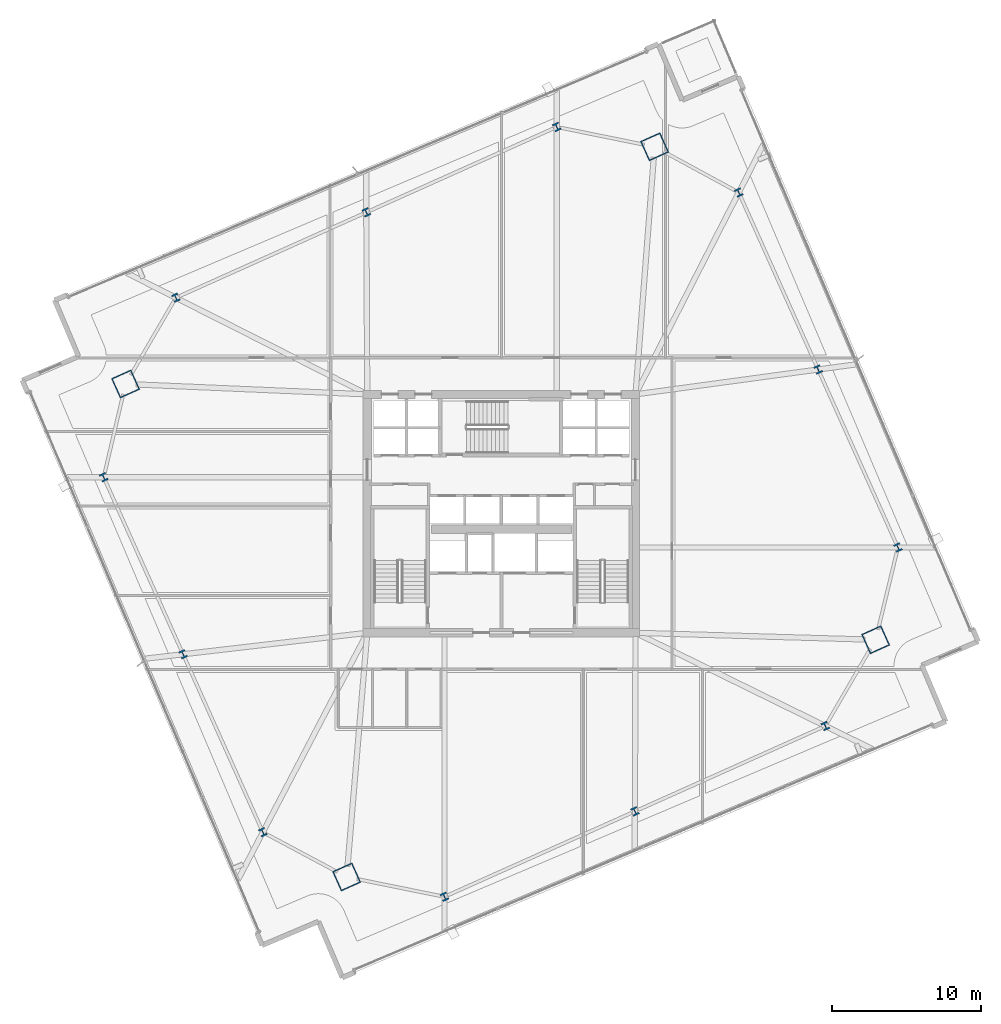
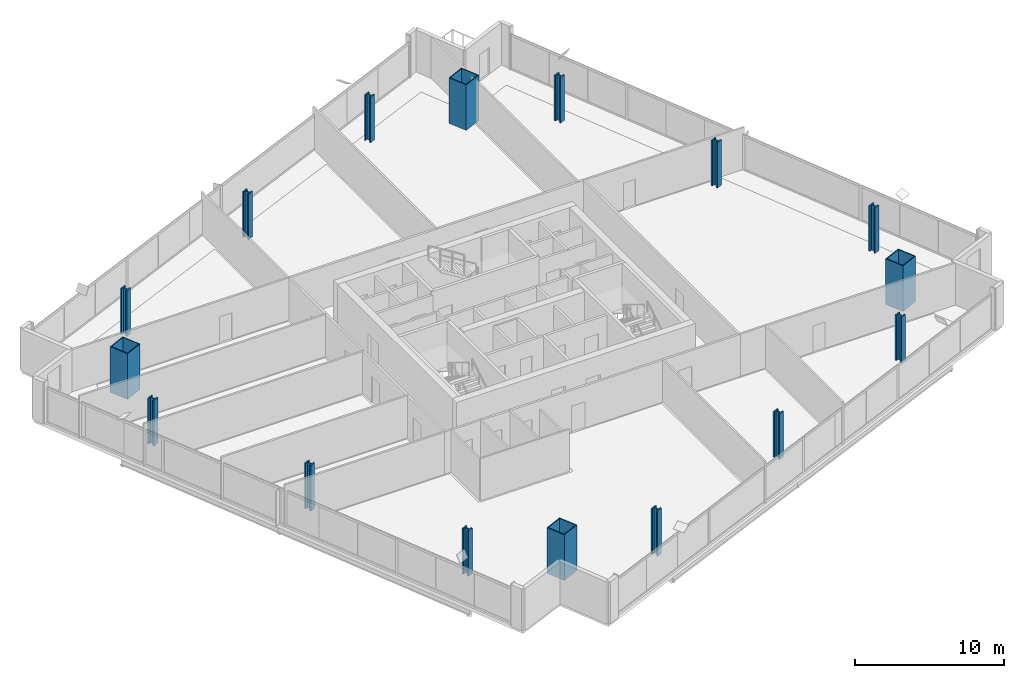
# One storey, part 1 of 34: 16 columns.
"""IFC4 building model written with IfcOpenShell, lengths in metres."""

from ifc_helpers import new_model, si_unit, direction, frame, origin, origin_2d, place, context, subcontext, project, spatial, hollow_rectangle, i_section, extrude, material, material_profile, profile_set, type_object, element, save


model = new_model("IFC4")

# Units and contexts
model_context = context("Model", 3, precision=1e-05, world=origin(), true_north=direction((0.0, 1.0)))
body_context = subcontext(model_context, "Body", "Model", "MODEL_VIEW")
ifc_project = project(units=[si_unit("LENGTHUNIT", "METRE"), si_unit("AREAUNIT", "SQUARE_METRE"), si_unit("VOLUMEUNIT", "CUBIC_METRE"), si_unit("PLANEANGLEUNIT", "RADIAN"), si_unit("MASSUNIT", "GRAM", prefix="KILO")], contexts=[model_context])

# Site, building, storey
site_placement = place(None, origin())
site = spatial("IfcSite", under=ifc_project, at=site_placement, CompositionType="ELEMENT")
building_placement = place(site_placement, origin())
building = spatial("IfcBuilding", under=site, at=building_placement, Name="Haldenkirk Collegiate Tower", CompositionType="ELEMENT")
storey_placement = place(building_placement, frame((0.0, 0.0, 105.449951171875)))
storey = spatial("IfcBuildingStorey", under=building, at=storey_placement, Name="L25", CompositionType="ELEMENT", Elevation=105.449951171875)

# Columns
ifc_material_1 = material(Name="Steel ASTM A913 Grade 65", Category="steel")
ifc_material_profile_1 = material_profile(ifc_material_1, i_section(OverallWidth=0.44189453125, OverallDepth=0.531005859375, WebThickness=0.06591796875, FlangeThickness=0.105712890625, at=origin_2d()), Name="W14X605")
ifc_profile_set_1 = profile_set([ifc_material_profile_1], Name="Steel ASTM A913 Grade 65")
column_type_1 = type_object("IfcColumnType", Name="COL-INT-W14X605", PredefinedType="COLUMN", material=ifc_profile_set_1)
for number, where, z_axis, x_axis, name in (
    (1, (32.181396484375, 0.287353515625, 0.0), (0.0, 0.0, 1.0), (0.912477494148, 0.409126902895, 0.0), "L25 perimeter gravity column PC-S1"),
    (2, (44.9599609375, 6.0166015625, 0.0), (0.0, 0.0, 1.0), (0.912477494148, 0.409126902895, 0.0), "L25 perimeter gravity column PC-S2"),
    (3, (57.73828125, 11.74609375, 0.0), (0.0, 0.0, 1.0), (0.912477494148, 0.409126902895, 0.0), "L25 perimeter gravity column PC-S3"),
    (4, (62.608642578125, 23.727294921875, 0.0), (0.0, 0.0, 1.0), (0.912477494148, 0.409126902895, 0.0), "L25 perimeter gravity column PC-E1"),
    (5, (57.255126953125, 35.667236328125, 0.0), (0.0, 0.0, 1.0), (0.912477494148, 0.409126902895, 0.0), "L25 perimeter gravity column PC-E2"),
    (6, (51.930419921875, 47.543212890625, 0.0), (0.0, 0.0, 1.0), (0.912477494148, 0.409126902895, 0.0), "L25 perimeter gravity column PC-E3"),
    (7, (39.71630859375, 51.94091796875, 0.0), (0.0, 0.0, 1.0), (0.912477494148, 0.409126902895, 0.0), "L25 perimeter gravity column PC-N1"),
    (8, (26.937744140625, 46.21142578125, 0.0), (0.0, 0.0, 1.0), (0.912477494148, 0.409126902895, 0.0), "L25 perimeter gravity column PC-N2"),
    (9, (14.159423828125, 40.48193359375, 0.0), (0.0, 0.0, 1.0), (0.912477494148, 0.409126902895, 0.0), "L25 perimeter gravity column PC-N3"),
    (10, (9.317626953125, 28.436767578125, 0.0), (0.0, 0.0, 1.0), (0.912477494148, 0.409126902895, 0.0), "L25 perimeter gravity column PC-W1"),
    (11, (14.642578125, 16.560791015625, 0.0), (0.0, 0.0, 1.0), (0.912477494148, 0.409126902895, 0.0), "L25 perimeter gravity column PC-W2"),
    (12, (19.995849609375, 4.62109375, 0.0), (0.0, 0.0, 1.0), (0.912477494148, 0.409126902895, 0.0), "L25 perimeter gravity column PC-W3"),
):
    element("IfcColumn", number, at=place(storey_placement, frame(where, z_axis=z_axis, x_axis=x_axis)), inside=storey, type_object=column_type_1, Name=name, PredefinedType="COLUMN", context=body_context, shape_type="SweptSolid", body=[
        extrude(i_section(OverallWidth=0.44189453125, OverallDepth=0.531005859375, WebThickness=0.06591796875, FlangeThickness=0.105712890625, at=origin_2d()), origin(), (0.0, 0.0, 1.0), 3.75),
    ])
ifc_material_2 = material(Name="Steel ASTM A572 Grade 50", Category="steel")
ifc_material_profile_2 = material_profile(ifc_material_2, hollow_rectangle(XDim=1.449951171875, YDim=1.449951171875, WallThickness=0.070068359375, at=origin_2d()), Name="BOX1450X1450X70")
ifc_profile_set_2 = profile_set([ifc_material_profile_2], Name="Steel ASTM A572 Grade 50")
column_type_2 = type_object("IfcColumnType", Name="COL-MEGA-BOX1450X1450X70", PredefinedType="COLUMN", material=ifc_profile_set_2)
for number, where, z_axis, x_axis, name in (
    (13, (25.61669921875, 1.617919921875, 0.0), (0.0, 0.0, 1.0), (0.912477494148, 0.409126902895, 0.0), "L25 corner mega-column MC1"),
    (14, (61.112060546875, 17.532958984375, 0.0), (0.0, 0.0, 1.0), (0.912477494148, 0.409126902895, 0.0), "L25 corner mega-column MC2"),
    (15, (46.281005859375, 50.610107421875, 0.0), (0.0, 0.0, 1.0), (0.912477494148, 0.409126902895, 0.0), "L25 corner mega-column MC3"),
    (16, (10.78564453125, 34.6953125, 0.0), (0.0, 0.0, 1.0), (0.912477494148, 0.409126902895, 0.0), "L25 corner mega-column MC4"),
):
    element("IfcColumn", number, at=place(storey_placement, frame(where, z_axis=z_axis, x_axis=x_axis)), inside=storey, type_object=column_type_2, Name=name, PredefinedType="COLUMN", context=body_context, shape_type="SweptSolid", body=[
        extrude(hollow_rectangle(XDim=1.449951171875, YDim=1.449951171875, WallThickness=0.070068359375, at=origin_2d()), origin(), (0.0, 0.0, 1.0), 3.75),
    ])

save(model, "model.ifc")
